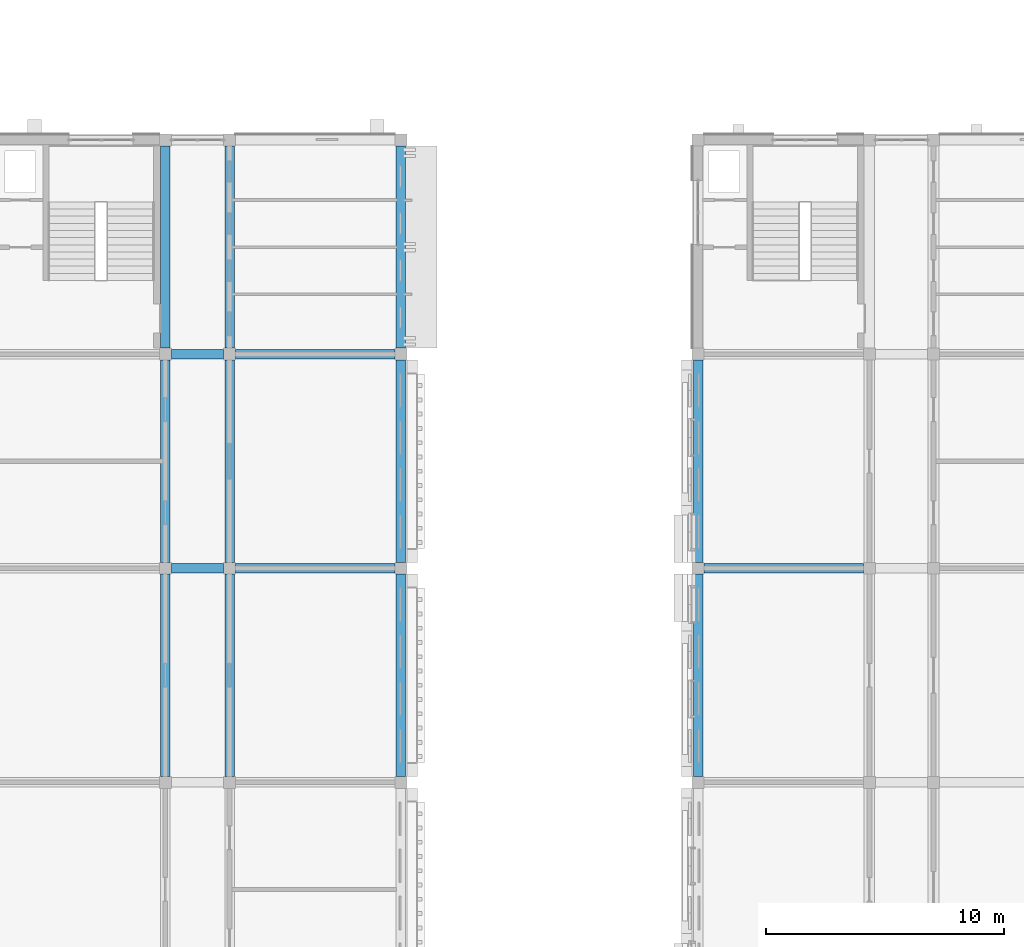
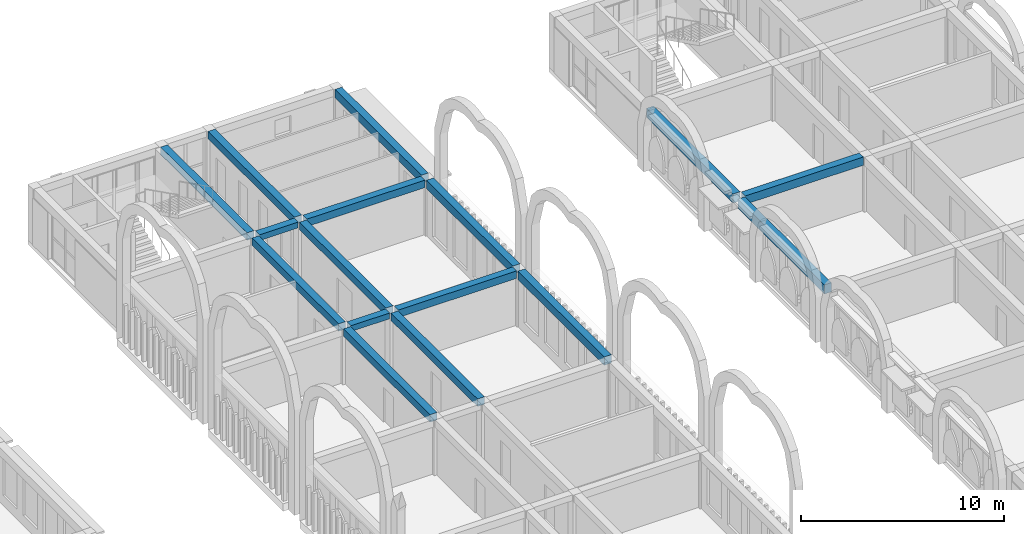
# One storey, part 31 of 82: 16 beams.
"""IFC4 building model written with IfcOpenShell, lengths in metres."""

from ifc_helpers import new_model, si_unit, direction, frame, origin, origin_2d, place, context, subcontext, project, spatial, rectangle, extrude, material, material_profile, profile_set, type_object, element, save


model = new_model("IFC4")

# Units and contexts
model_context = context("Model", 3, precision=1e-05, world=origin(), true_north=direction((0.0, 1.0)))
body_context = subcontext(model_context, "Body", "Model", "MODEL_VIEW")
ifc_project = project(units=[si_unit("LENGTHUNIT", "METRE"), si_unit("AREAUNIT", "SQUARE_METRE"), si_unit("VOLUMEUNIT", "CUBIC_METRE"), si_unit("PLANEANGLEUNIT", "RADIAN"), si_unit("MASSUNIT", "GRAM", prefix="KILO")], contexts=[model_context])

# Site, building, storey
site_placement = place(None, origin())
site = spatial("IfcSite", under=ifc_project, at=site_placement, CompositionType="ELEMENT")
building_placement = place(site_placement, origin())
building = spatial("IfcBuilding", under=site, at=building_placement, Name="Elbe Cascade School", CompositionType="ELEMENT")
storey_placement = place(building_placement, frame((0.0, 0.0, 4.5)))
storey = spatial("IfcBuildingStorey", under=building, at=storey_placement, Name="L01", CompositionType="ELEMENT", Elevation=4.5)

# Beams
ifc_material_1 = material(Name="Concrete C30/37", Category="concrete")
ifc_material_profile_1 = material_profile(ifc_material_1, rectangle(XDim=0.39990234375, YDim=0.35009765625, at=origin_2d()), Name="RC 400x350")
ifc_profile_set_1 = profile_set([ifc_material_profile_1], Name="Concrete C30/37")
beam_type_1 = type_object("IfcBeamType", Name="RC 400x350 beam", PredefinedType="BEAM", material=ifc_profile_set_1)
for number, where, z_axis, x_axis, name in (
    (1, (135.64990234375, 42.0, 3.175048828125), (1.0, 0.0, 0.0), (0.0, 1.0, 0.0), "RC 400x350 beam B3"),
    (2, (135.64990234375, 51.0, 3.175048828125), (1.0, 0.0, 0.0), (0.0, 1.0, 0.0), "RC 400x350 beam B3"),
):
    element("IfcBeam", number, at=place(storey_placement, frame(where, z_axis=z_axis, x_axis=x_axis)), inside=storey, type_object=beam_type_1, Name=name, PredefinedType="BEAM", context=body_context, shape_type="SweptSolid", body=[
        extrude(rectangle(XDim=0.39990234375, YDim=0.35009765625, at=origin_2d()), origin(), (0.0, 0.0, 1.0), 2.2001953125),
    ])
ifc_material_2 = material(Name="Concrete C30/37", Category="concrete")
ifc_material_profile_2 = material_profile(ifc_material_2, rectangle(XDim=0.39990234375, YDim=0.449951171875, at=origin_2d()), Name="RC 400x450")
ifc_profile_set_2 = profile_set([ifc_material_profile_2], Name="Concrete C30/37")
beam_type_2 = type_object("IfcBeamType", Name="RC 400x450 beam", PredefinedType="BEAM", material=ifc_profile_set_2)
for number, where, z_axis, x_axis, name in (
    (3, (135.39990234375, 33.25, 3.125), (0.0, 1.0, 0.0), (-1.0, 0.0, 0.0), "RC 400x450 beam B2"),
    (4, (135.39990234375, 42.25, 3.125), (0.0, 1.0, 0.0), (-1.0, 0.0, 0.0), "RC 400x450 beam B2"),
    (5, (135.39990234375, 51.25, 3.125), (0.0, 1.0, 0.0), (-1.0, 0.0, 0.0), "RC 400x450 beam B2"),
    (6, (138.10009765625, 33.25, 3.125), (0.0, 1.0, 0.0), (-1.0, 0.0, 0.0), "RC 400x450 beam B2"),
    (7, (138.10009765625, 42.25, 3.125), (0.0, 1.0, 0.0), (-1.0, 0.0, 0.0), "RC 400x450 beam B2"),
    (8, (138.10009765625, 51.25, 3.125), (0.0, 1.0, 0.0), (-1.0, 0.0, 0.0), "RC 400x450 beam B2"),
):
    element("IfcBeam", number, at=place(storey_placement, frame(where, z_axis=z_axis, x_axis=x_axis)), inside=storey, type_object=beam_type_2, Name=name, PredefinedType="BEAM", context=body_context, shape_type="SweptSolid", body=[
        extrude(rectangle(XDim=0.39990234375, YDim=0.449951171875, at=origin_2d()), origin(), (0.0, 0.0, 1.0), 8.5),
    ])
for number, where, z_axis, x_axis, name in (
    (9, (138.35009765625, 42.0, 3.125), (1.0, 0.0, 0.0), (0.0, 1.0, 0.0), "RC 400x450 beam B2"),
    (10, (138.35009765625, 51.0, 3.125), (1.0, 0.0, 0.0), (0.0, 1.0, 0.0), "RC 400x450 beam B2"),
):
    element("IfcBeam", number, at=place(storey_placement, frame(where, z_axis=z_axis, x_axis=x_axis)), inside=storey, type_object=beam_type_2, Name=name, PredefinedType="BEAM", context=body_context, shape_type="SweptSolid", body=[
        extrude(rectangle(XDim=0.39990234375, YDim=0.449951171875, at=origin_2d()), origin(), (0.0, 0.0, 1.0), 6.699951171875),
    ])
ifc_material_3 = material(Name="Concrete C30/37", Category="concrete")
ifc_material_profile_3 = material_profile(ifc_material_3, rectangle(XDim=0.39990234375, YDim=0.5, at=origin_2d()), Name="RC 400x500")
ifc_profile_set_3 = profile_set([ifc_material_profile_3], Name="Concrete C30/37")
beam_type_3 = type_object("IfcBeamType", Name="RC 400x500 beam", PredefinedType="BEAM", material=ifc_profile_set_3)
for number, where, z_axis, x_axis, name in (
    (11, (145.300048828125, 33.25, 3.10009765625), (0.0, 1.0, 0.0), (-1.0, 0.0, 0.0), "RC 400x500 beam B1"),
    (12, (145.300048828125, 42.25, 3.10009765625), (0.0, 1.0, 0.0), (-1.0, 0.0, 0.0), "RC 400x500 beam B1"),
    (13, (145.300048828125, 51.25, 3.10009765625), (0.0, 1.0, 0.0), (-1.0, 0.0, 0.0), "RC 400x500 beam B1"),
):
    element("IfcBeam", number, at=place(storey_placement, frame(where, z_axis=z_axis, x_axis=x_axis)), inside=storey, type_object=beam_type_3, Name=name, PredefinedType="BEAM", context=body_context, shape_type="SweptSolid", body=[
        extrude(rectangle(XDim=0.39990234375, YDim=0.5, at=origin_2d()), origin(), (0.0, 0.0, 1.0), 8.5),
    ])
beam_placement = place(storey_placement, frame((158.050048828125, 42.0, 3.050048828125), z_axis=(1.0, 0.0, 0.0), x_axis=(0.0, 1.0, 0.0)))
element("IfcBeam", 14, at=beam_placement, inside=storey, type_object=beam_type_3, Name="RC 400x500 beam B1", PredefinedType="BEAM", context=body_context, shape_type="SweptSolid", body=[
    extrude(rectangle(XDim=0.39990234375, YDim=0.5, at=origin_2d()), origin(), (0.0, 0.0, 1.0), 6.699951171875),
])
ifc_material_4 = material(Name="Concrete C30/37", Category="concrete")
ifc_material_profile_4 = material_profile(ifc_material_4, rectangle(XDim=0.39990234375, YDim=0.550048828125, at=origin_2d()), Name="RC 400x550")
ifc_profile_set_4 = profile_set([ifc_material_profile_4], Name="Concrete C30/37")
beam_type_4 = type_object("IfcBeamType", Name="RC 400x550 beam", PredefinedType="BEAM", material=ifc_profile_set_4)
for number, where, z_axis, x_axis, name in (
    (15, (157.800048828125, 33.25, 3.02490234375), (0.0, 1.0, 0.0), (-1.0, 0.0, 0.0), "RC 400x550 beam B4"),
    (16, (157.800048828125, 42.25, 3.02490234375), (0.0, 1.0, 0.0), (-1.0, 0.0, 0.0), "RC 400x550 beam B4"),
):
    element("IfcBeam", number, at=place(storey_placement, frame(where, z_axis=z_axis, x_axis=x_axis)), inside=storey, type_object=beam_type_4, Name=name, PredefinedType="BEAM", context=body_context, shape_type="SweptSolid", body=[
        extrude(rectangle(XDim=0.39990234375, YDim=0.550048828125, at=origin_2d()), origin(), (0.0, 0.0, 1.0), 8.5),
    ])

save(model, "model.ifc")
